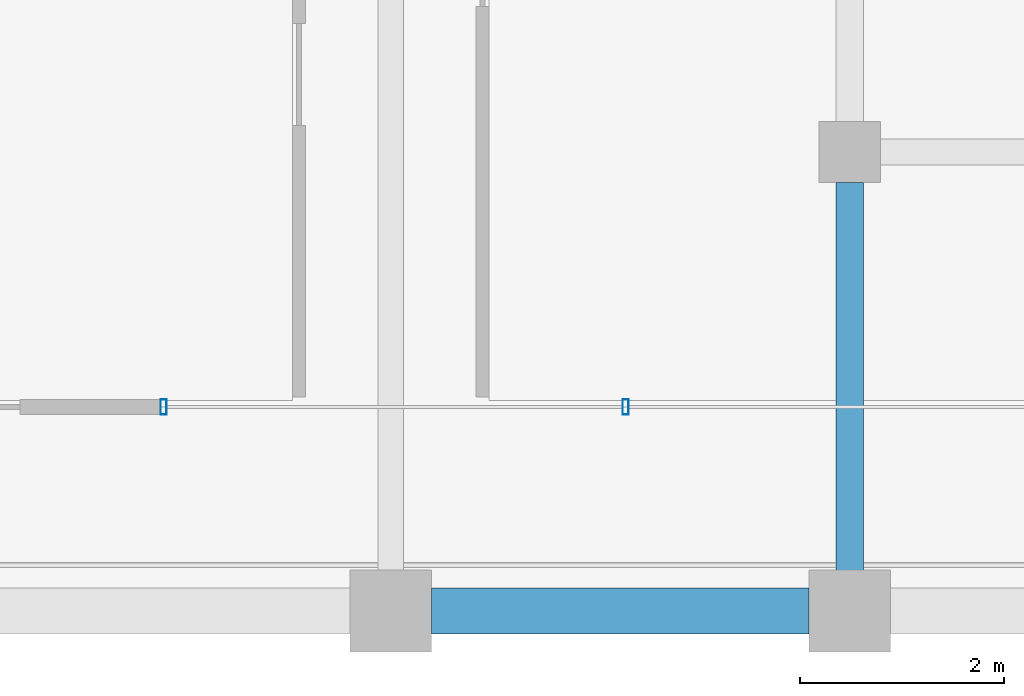
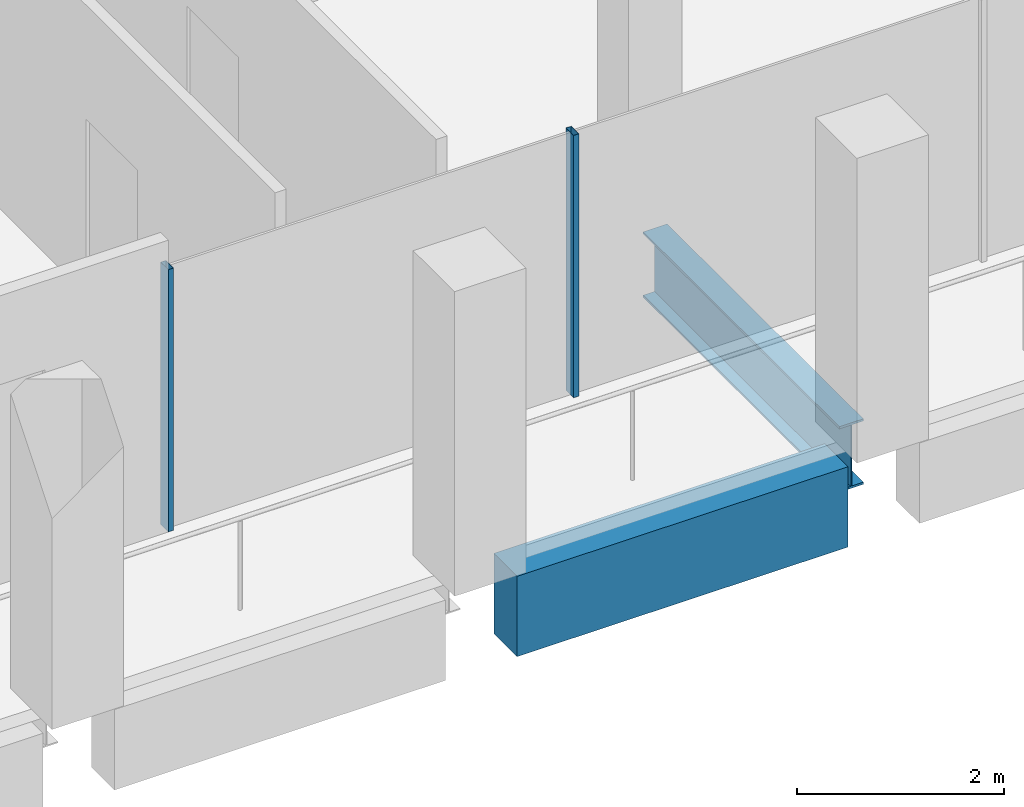
# One storey, part 9 of 41: 2 beams, 2 members, 1 element without a shape of its own.
"""IFC4 building model written with IfcOpenShell, lengths in metres."""

from ifc_helpers import new_model, si_unit, direction, frame, origin, origin_2d, place, context, subcontext, project, spatial, rectangle, hollow_rectangle, i_section, extrude, material, material_profile, profile_set, type_object, element, aggregate, save


model = new_model("IFC4")

# Units and contexts
model_context = context("Model", 3, precision=1e-05, world=origin(), true_north=direction((0.0, 1.0)))
body_context = subcontext(model_context, "Body", "Model", "MODEL_VIEW")
ifc_project = project(units=[si_unit("LENGTHUNIT", "METRE"), si_unit("AREAUNIT", "SQUARE_METRE"), si_unit("VOLUMEUNIT", "CUBIC_METRE"), si_unit("PLANEANGLEUNIT", "RADIAN"), si_unit("MASSUNIT", "GRAM", prefix="KILO")], contexts=[model_context])

# Site, building, storey
site_placement = place(None, origin())
site = spatial("IfcSite", under=ifc_project, at=site_placement, CompositionType="ELEMENT")
building_placement = place(site_placement, origin())
building = spatial("IfcBuilding", under=site, at=building_placement, Name="Altepetl Exchange Towers", CompositionType="ELEMENT")
storey_placement = place(building_placement, frame((0.0, 0.0, 206.39990234375)))
storey = spatial("IfcBuildingStorey", under=building, at=storey_placement, Name="L52", CompositionType="ELEMENT", Elevation=206.39990234375)

# Beam
ifc_material_1 = material(Name="Steel S355", Category="steel")
ifc_material_profile_1 = material_profile(ifc_material_1, i_section(OverallWidth=0.26806640625, OverallDepth=0.77392578125, WebThickness=0.015380859375, FlangeThickness=0.025390625, at=origin_2d()), Name="W30X132")
ifc_profile_set_1 = profile_set([ifc_material_profile_1], Name="Steel S355")
beam_type_1 = type_object("IfcBeamType", Name="Girder W30X132", PredefinedType="BEAM", material=ifc_profile_set_1)
beam_1_placement = place(storey_placement, frame((58.5, 31.199951171875, -0.536865234375), z_axis=(0.0, -1.0, 0.0), x_axis=(1.0, 0.0, 0.0)))
element("IfcBeam", 1, at=beam_1_placement, inside=storey, type_object=beam_type_1, Name="gd:A:L52:005", PredefinedType="BEAM", context=body_context, shape_type="SweptSolid", body=[
    extrude(i_section(OverallWidth=0.26806640625, OverallDepth=0.77392578125, WebThickness=0.015380859375, FlangeThickness=0.025390625, at=origin_2d()), origin(), (0.0, 0.0, 1.0), 3.800048828125),
])

# Curtain wall, members
ifc_material_2 = material(Name="Aluminium 6063-T6 glazing", Category="aluminium")
curtain_wall_type = type_object("IfcCurtainWallType", Name="Loggia glazing system", PredefinedType="NOTDEFINED", material=ifc_material_2)
curtain_wall_placement = place(storey_placement, origin())
curtain_wall = element("IfcCurtainWall", 2, at=curtain_wall_placement, inside=storey, type_object=curtain_wall_type, Name="CW1 run", PredefinedType="NOTDEFINED")
ifc_material_3 = material(Name="Aluminium 6063-T6", Category="aluminium")
ifc_material_profile_2 = material_profile(ifc_material_3, hollow_rectangle(XDim=0.06005859375, YDim=0.14990234375, WallThickness=0.0029296875, at=origin_2d()), Name="Mullion 60x150 aluminium")
ifc_profile_set_2 = profile_set([ifc_material_profile_2], Name="Aluminium 6063-T6")
member_type = type_object("IfcMemberType", Name="Mullion 60x150 aluminium", PredefinedType="MULLION", material=ifc_profile_set_2)
member_1_placement = place(storey_placement, frame((51.77294921875, 29.0, 0.0)))
member_1 = element("IfcMember", 3, at=member_1_placement, type_object=member_type, Name="MU1 mullion", PredefinedType="MULLION", context=body_context, shape_type="SweptSolid", body=[
    extrude(hollow_rectangle(XDim=0.06005859375, YDim=0.14990234375, WallThickness=0.0029296875, at=origin_2d()), origin(), (0.0, 0.0, 1.0), 3.10009765625),
])
member_2_placement = place(storey_placement, frame((56.303466796875, 29.0, 0.0)))
member_2 = element("IfcMember", 4, at=member_2_placement, type_object=member_type, Name="MU1 mullion", PredefinedType="MULLION", context=body_context, shape_type="SweptSolid", body=[
    extrude(hollow_rectangle(XDim=0.06005859375, YDim=0.14990234375, WallThickness=0.0029296875, at=origin_2d()), origin(), (0.0, 0.0, 1.0), 3.10009765625),
])
aggregate(curtain_wall, [member_1, member_2])

# Beam
ifc_material_4 = material(Name="Concrete C50/60 precast with cantera blanca facing", Category="concrete")
ifc_material_profile_3 = material_profile(ifc_material_4, rectangle(XDim=0.449951171875, YDim=0.949951171875, at=origin_2d()), Name="450 x 950")
ifc_profile_set_3 = profile_set([ifc_material_profile_3], Name="Concrete C50/60 precast with cantera blanca facing")
beam_type_2 = type_object("IfcBeamType", Name="Spandrel beam 450x950 cantera blanca", PredefinedType="SPANDREL", material=ifc_profile_set_3)
beam_2_placement = place(storey_placement, frame((54.39990234375, 27.0, -0.625), z_axis=(1.0, 0.0, 0.0), x_axis=(0.0, 1.0, 0.0)))
element("IfcBeam", 5, at=beam_2_placement, inside=storey, type_object=beam_type_2, Name="sp:A:L52:005", PredefinedType="SPANDREL", context=body_context, shape_type="SweptSolid", body=[
    extrude(rectangle(XDim=0.449951171875, YDim=0.949951171875, at=origin_2d()), origin(), (0.0, 0.0, 1.0), 3.7001953125),
])

save(model, "model.ifc")
